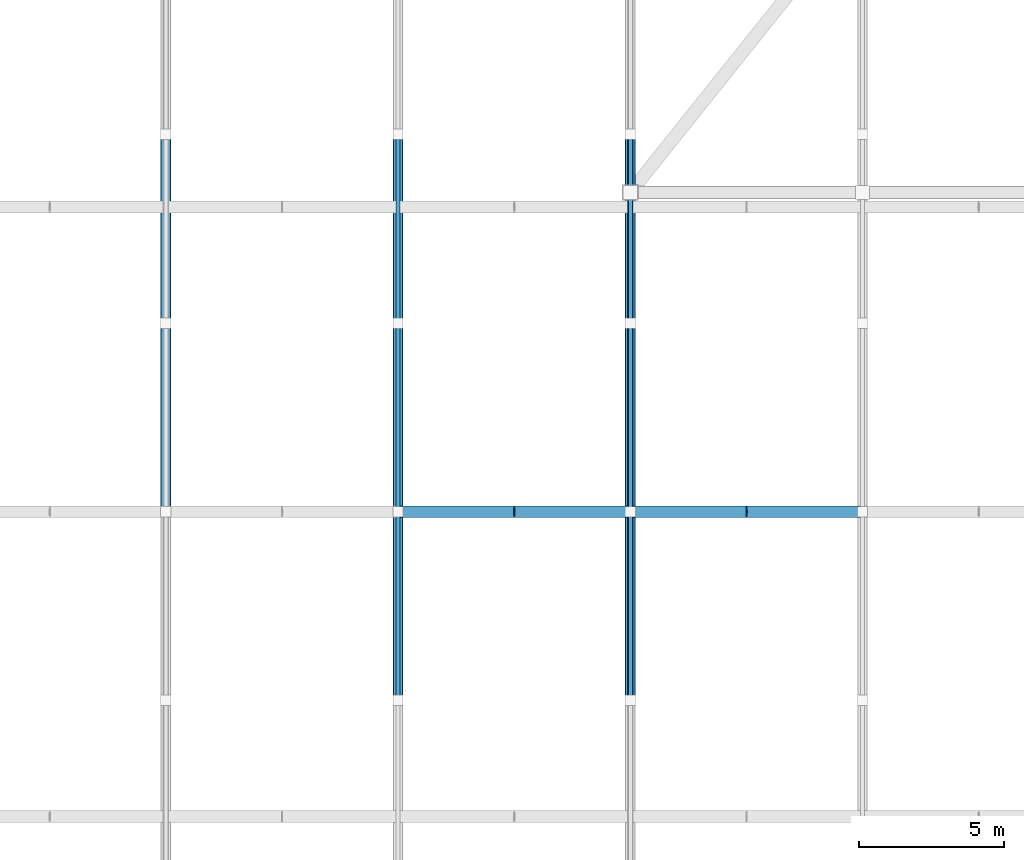
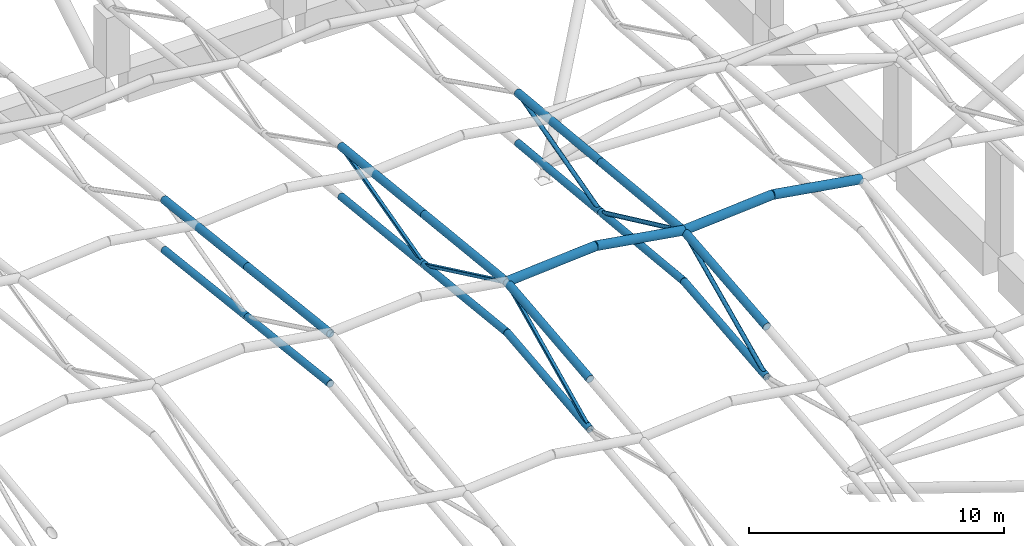
# One storey, part 9 of 75: 26 members.
"""IFC4 building model written with IfcOpenShell, lengths in metres."""

import ifcopenshell
import ifcopenshell.guid

model = None  # the IFC model being written
_history = None  # IfcOwnerHistory: only IFC2X3 demands one
_inside = {}  # id of a spatial element -> (the spatial element, [elements in it])
_under = {}  # id of a project, library or spatial element -> (it, [spatial elements below it])
_declared = {}  # id of a project -> (the project, [libraries it declares])
_typed = {}  # id of a type object -> (the type object, [elements of that type])
_made_of = {}  # id of a material, layer set ... -> (it, [elements and type objects made of it])


def new_model(schema):
    """Start an empty IFC model of exactly this schema.

    Asked for "IFC4X3", IfcOpenShell would pick the latest addendum, in which some entities
    have other attributes; the version numbers below select the first issue.
    IFC2X3 requires an IfcOwnerHistory on every rooted entity: one is made here for all.
    """
    global model, _history
    if schema == "IFC4X3":
        model = ifcopenshell.file(schema_version=(4, 3, 0, 0))
    else:
        model = ifcopenshell.file(schema=schema)
    _inside.clear()
    _under.clear()
    _declared.clear()
    _typed.clear()
    _made_of.clear()
    _history = None
    if model.schema == "IFC2X3":
        org = make("IfcOrganization", Name="unknown")
        user = make(
            "IfcPersonAndOrganization",
            ThePerson=make("IfcPerson", FamilyName="unknown"),
            TheOrganization=org,
        )
        app = make(
            "IfcApplication",
            ApplicationDeveloper=org,
            Version="unknown",
            ApplicationFullName="unknown",
            ApplicationIdentifier="unknown",
        )
        _history = make(
            "IfcOwnerHistory",
            OwningUser=user,
            OwningApplication=app,
            ChangeAction="ADDED",
            CreationDate=0,
        )
    return model


def make(cls, **values):
    """One entity of the class cls with the attributes given. An attribute that is None is left unset."""
    return model.create_entity(
        cls, **{name: value for name, value in values.items() if value is not None}
    )


def rooted(cls, **values):
    """An entity with a GlobalId (a new one), such as an element, a storey or a relation."""
    return make(cls, GlobalId=ifcopenshell.guid.new(), OwnerHistory=_history, **values)


def si_unit(unit_type, name, prefix=None):
    """IfcSIUnit, for example si_unit("LENGTHUNIT", "METRE", prefix="MILLI")."""
    return make("IfcSIUnit", UnitType=unit_type, Prefix=prefix, Name=name)


def assignment(units):
    """IfcUnitAssignment: the units of a project."""
    return None if units is None else make("IfcUnitAssignment", Units=units)


def point(xyz):
    """IfcCartesianPoint."""
    return None if xyz is None else make("IfcCartesianPoint", Coordinates=xyz)


def direction(xyz):
    """IfcDirection."""
    return None if xyz is None else make("IfcDirection", DirectionRatios=xyz)


def frame(location, z_axis=None, x_axis=None):
    """IfcAxis2Placement3D, a coordinate frame: its origin and axes. An axis left out is left unset."""
    return make(
        "IfcAxis2Placement3D",
        Location=point(location),
        Axis=direction(z_axis),
        RefDirection=direction(x_axis),
    )


def frame_2d(location, x_axis=None):
    """IfcAxis2Placement2D, a coordinate frame in the plane: its origin and x axis."""
    return make(
        "IfcAxis2Placement2D", Location=point(location), RefDirection=direction(x_axis)
    )


def origin():
    """The frame at (0, 0, 0) with its axes left unset."""
    return frame((0.0, 0.0, 0.0))


def origin_2d():
    """The frame at (0, 0) in the plane with its x axis left unset."""
    return frame_2d((0.0, 0.0))


def place(relative_to, where):
    """IfcLocalPlacement: puts the frame where relative to a parent placement (None: the world)."""
    return make(
        "IfcLocalPlacement", PlacementRelTo=relative_to, RelativePlacement=where
    )


def context(
    kind, dimensions, precision=None, world=None, true_north=None, identifier=None
):
    """IfcGeometricRepresentationContext, for example the 3D "Model" context."""
    return make(
        "IfcGeometricRepresentationContext",
        ContextIdentifier=identifier,
        ContextType=kind,
        CoordinateSpaceDimension=dimensions,
        Precision=precision,
        WorldCoordinateSystem=world,
        TrueNorth=true_north,
    )


def subcontext(parent, identifier, kind, view, scale=None):
    """IfcGeometricRepresentationSubContext, for example "Body" below "Model"."""
    return make(
        "IfcGeometricRepresentationSubContext",
        ContextIdentifier=identifier,
        ContextType=kind,
        ParentContext=parent,
        TargetScale=scale,
        TargetView=view,
    )


def project(units=None, contexts=None):
    """IfcProject with its units and contexts."""
    return rooted(
        "IfcProject",
        Name="project",
        RepresentationContexts=contexts,
        UnitsInContext=assignment(units),
    )


def spatial(cls, under=None, at=None, **own):
    """A site, building, storey or space (cls), placed at a placement, below another one or the project."""
    s = rooted(cls, ObjectPlacement=at, **own)
    if under is not None:
        _under.setdefault(under.id(), (under, []))[1].append(s)
    return s


def profile(cls, at=None, kind="AREA", **sizes):
    """A parametric profile (cls). Its sizes go by their IFC names, for example OverallWidth=200.0."""
    return make(cls, ProfileType=kind, Position=at, **sizes)


def hollow_rectangle(**sizes):
    """IfcRectangleHollowProfileDef."""
    return profile("IfcRectangleHollowProfileDef", **sizes)


def hollow_circle(**sizes):
    """IfcCircleHollowProfileDef."""
    return profile("IfcCircleHollowProfileDef", **sizes)


def extrude(swept, where, along, depth):
    """IfcExtrudedAreaSolid: the profile swept, set in the frame where, extruded along a direction by depth."""
    return make(
        "IfcExtrudedAreaSolid",
        SweptArea=swept,
        Position=where,
        ExtrudedDirection=direction(along),
        Depth=depth,
    )


def shape(context_of_items, identifier, shape_type, items):
    """IfcShapeRepresentation: the items that make up one representation, for example the "Body"."""
    return make(
        "IfcShapeRepresentation",
        ContextOfItems=context_of_items,
        RepresentationIdentifier=identifier,
        RepresentationType=shape_type,
        Items=items,
    )


def material(Name=None, Category=None):
    """IfcMaterial."""
    return make("IfcMaterial", Name=Name, Category=Category)


def material_profile(
    of_material, cross_section, Name=None, Category=None, Priority=None
):
    """IfcMaterialProfile: a cross section and its material."""
    return make(
        "IfcMaterialProfile",
        Name=Name,
        Material=of_material,
        Profile=cross_section,
        Priority=Priority,
        Category=Category,
    )


def profile_set(profiles, Name=None, composite=None):
    """IfcMaterialProfileSet."""
    return make(
        "IfcMaterialProfileSet",
        Name=Name,
        MaterialProfiles=profiles,
        CompositeProfile=composite,
    )


def made_of(thing, what):
    """Note that an element or type object is made of a material, layer set ...; save() writes the relation."""
    if what is not None:
        _made_of.setdefault(what.id(), (what, []))[1].append(thing)
    return thing


def type_object(cls, material=None, **own):
    """A type object (cls), such as IfcWallType, which elements share."""
    return made_of(rooted(cls, **own), material)


def element(
    cls,
    number,
    at=None,
    inside=None,
    cuts=None,
    type_object=None,
    material=None,
    context=None,
    identifier="Body",
    shape_type=None,
    held_by="IfcProductDefinitionShape",
    body=None,
    shapes=None,
    **own,
):
    """One element of the class cls, such as IfcWall. Its Tag is "e" and its number.

    at: its placement. inside: the storey or other place that contains it. cuts: it is an
    opening in that element (IfcRelVoidsElement). A single representation is given by context,
    identifier, shape_type and body (its items); several are given by shapes. held_by: the class
    of the entity that holds the representations. save() writes the other relations.
    """
    e = rooted(cls, Tag="e%d" % number, ObjectPlacement=at, **own)
    if body is not None:
        shapes = [shape(context, identifier, shape_type, body)]
    if shapes is not None:
        e.Representation = make(held_by, Representations=shapes)
    if inside is not None:
        _inside.setdefault(inside.id(), (inside, []))[1].append(e)
    if cuts is not None:
        rooted(
            "IfcRelVoidsElement", RelatingBuildingElement=cuts, RelatedOpeningElement=e
        )
    if type_object is not None:
        _typed.setdefault(type_object.id(), (type_object, []))[1].append(e)
    return made_of(e, material)


def aggregate(whole, parts):
    """IfcRelAggregates: a whole, such as a stair, and the parts it consists of."""
    return rooted("IfcRelAggregates", RelatingObject=whole, RelatedObjects=parts)


def save(model, path):
    """Write the relations noted so far, then the file.

    IfcRelAggregates (storeys below a building ...), IfcRelContainedInSpatialStructure (elements
    in a storey), IfcRelDefinesByType, IfcRelAssociatesMaterial and IfcRelDeclares: one each for
    every whole, place, type object, material and project.
    """
    for whole, parts in _under.values():
        aggregate(whole, parts)
    for where, things in _inside.values():
        rooted(
            "IfcRelContainedInSpatialStructure",
            RelatedElements=things,
            RelatingStructure=where,
        )
    for kind, things in _typed.values():
        rooted("IfcRelDefinesByType", RelatedObjects=things, RelatingType=kind)
    for what, things in _made_of.values():
        rooted("IfcRelAssociatesMaterial", RelatedObjects=things, RelatingMaterial=what)
    for by, libraries in _declared.values():
        rooted("IfcRelDeclares", RelatingContext=by, RelatedDefinitions=libraries)
    model.write(path)


model = new_model("IFC4")

# Units and contexts
model_context = context("Model", 3, precision=1e-05, world=origin(), true_north=direction((0.0, 1.0)))
body_context = subcontext(model_context, "Body", "Model", "MODEL_VIEW")
ifc_project = project(units=[si_unit("LENGTHUNIT", "METRE"), si_unit("AREAUNIT", "SQUARE_METRE"), si_unit("VOLUMEUNIT", "CUBIC_METRE"), si_unit("PLANEANGLEUNIT", "RADIAN"), si_unit("MASSUNIT", "GRAM", prefix="KILO")], contexts=[model_context])

# Site, building, storey
site_placement = place(None, origin())
site = spatial("IfcSite", under=ifc_project, at=site_placement, CompositionType="ELEMENT")
building_placement = place(site_placement, origin())
building = spatial("IfcBuilding", under=site, at=building_placement, Name="Khorjan Park Terminus", CompositionType="ELEMENT")
storey_placement = place(building_placement, frame((0.0, 0.0, 16.2)))
storey = spatial("IfcBuildingStorey", under=building, at=storey_placement, Name="L03", CompositionType="ELEMENT", Elevation=16.2)

# Members
ifc_material = material(Name="Steel S355", Category="steel")
ifc_material_profile_1 = material_profile(ifc_material, hollow_circle(Radius=0.0969, WallThickness=0.01, at=origin_2d()), Name="CHS 193.7x10")
ifc_profile_set_1 = profile_set([ifc_material_profile_1], Name="Steel S355")
member_type_1 = type_object("IfcMemberType", Name="MB-BR-194", PredefinedType="BRACE", material=ifc_profile_set_1)
for number, where, z_axis, x_axis, name in (
    (1, (120.0, 50.5, 5.1597), (0.0, 0.905965812487, 0.423350855207), (-1.0, 0.0, 0.0), "Upper shell fold space-truss web diagonal (10)"),
    (2, (120.0, 57.0, 8.1971), (0.0, 0.905965812487, -0.423350855207), (-1.0, 0.0, 0.0), "Upper shell fold space-truss web diagonal (10)"),
):
    element("IfcMember", number, at=place(storey_placement, frame(where, z_axis=z_axis, x_axis=x_axis)), inside=storey, type_object=member_type_1, Name=name, PredefinedType="BRACE", context=body_context, shape_type="SweptSolid", body=[
        extrude(hollow_circle(Radius=0.0969, WallThickness=0.01, at=origin_2d()), origin(), (0.0, 0.0, 1.0), 7.1747),
    ])
member_1_placement = place(storey_placement, frame((120.0, 63.5, 5.1597), z_axis=(0.0, 0.965140772781, 0.261731329259), x_axis=(-1.0, 0.0, 0.0)))
element("IfcMember", 3, at=member_1_placement, inside=storey, type_object=member_type_1, Name="Upper shell fold space-truss web diagonal (10)", PredefinedType="BRACE", context=body_context, shape_type="SweptSolid", body=[
    extrude(hollow_circle(Radius=0.0969, WallThickness=0.01, at=origin_2d()), origin(), (0.0, 0.0, 1.0), 6.7348),
])
ifc_material_profile_2 = material_profile(ifc_material, hollow_rectangle(XDim=0.15, YDim=0.15, WallThickness=0.01, InnerFilletRadius=0.01, OuterFilletRadius=0.02, at=origin_2d()), Name="SHS 150x150x10")
ifc_profile_set_2 = profile_set([ifc_material_profile_2], Name="Steel S355")
member_type_2 = type_object("IfcMemberType", Name="MB-BR-SHS150", PredefinedType="BRACE", material=ifc_profile_set_2)
for number, where, z_axis, x_axis, name in (
    (4, (112.0, 50.5, 5.4558), (0.0, 0.903105121336, 0.429419538233), (-1.0, 0.0, 0.0), "Upper shell fold space-truss web diagonal (9)"),
    (5, (112.0, 57.0, 8.5465), (0.0, 0.903105121336, -0.429419538233), (-1.0, 0.0, 0.0), "Upper shell fold space-truss web diagonal (9)"),
):
    element("IfcMember", number, at=place(storey_placement, frame(where, z_axis=z_axis, x_axis=x_axis)), inside=storey, type_object=member_type_2, Name=name, PredefinedType="BRACE", context=body_context, shape_type="SweptSolid", body=[
        extrude(hollow_rectangle(XDim=0.15, YDim=0.15, WallThickness=0.01, InnerFilletRadius=0.01, OuterFilletRadius=0.02, at=origin_2d()), origin(), (0.0, 0.0, 1.0), 7.1974),
    ])
member_2_placement = place(storey_placement, frame((112.0, 63.5, 5.4558), z_axis=(0.0, 0.967115768639, 0.254336568448), x_axis=(-1.0, 0.0, 0.0)))
element("IfcMember", 6, at=member_2_placement, inside=storey, type_object=member_type_2, Name="Upper shell fold space-truss web diagonal (9)", PredefinedType="BRACE", context=body_context, shape_type="SweptSolid", body=[
    extrude(hollow_rectangle(XDim=0.15, YDim=0.15, WallThickness=0.01, InnerFilletRadius=0.01, OuterFilletRadius=0.02, at=origin_2d()), origin(), (0.0, 0.0, 1.0), 6.721),
])
ifc_material_profile_3 = material_profile(ifc_material, hollow_circle(Radius=0.162, WallThickness=0.0125, at=origin_2d()), Name="CHS 323.9x12.5")
ifc_profile_set_3 = profile_set([ifc_material_profile_3], Name="Steel S355")
member_type_3 = type_object("IfcMemberType", Name="MB-CH-324", PredefinedType="CHORD", material=ifc_profile_set_3)
for number, where, z_axis, x_axis, name in (
    (7, (104.0, 57.0, 6.4959), (0.0, 0.993512951244, -0.113719020881), (-1.0, 0.0, 0.0), "Upper shell fold space-truss bottom chord (8)"),
    (8, (104.0, 63.5, 5.7519), (0.0, 0.993512951244, -0.113719020881), (-1.0, 0.0, 0.0), "Upper shell fold space-truss bottom chord (8)"),
):
    element("IfcMember", number, at=place(storey_placement, frame(where, z_axis=z_axis, x_axis=x_axis)), inside=storey, type_object=member_type_3, Name=name, PredefinedType="CHORD", context=body_context, shape_type="SweptSolid", body=[
        extrude(hollow_circle(Radius=0.162, WallThickness=0.0125, at=origin_2d()), origin(), (0.0, 0.0, 1.0), 6.5424),
    ])
for number, where, z_axis, x_axis, name in (
    (9, (112.0, 50.5, 5.4558), (0.0, 0.994401609095, 0.105666644831), (-1.0, 0.0, 0.0), "Upper shell fold space-truss bottom chord (9)"),
    (10, (112.0, 57.0, 6.1465), (0.0, 0.994401609095, -0.105666644831), (-1.0, 0.0, 0.0), "Upper shell fold space-truss bottom chord (9)"),
    (11, (112.0, 63.5, 5.4558), (0.0, 0.994403216472, -0.105651517122), (-1.0, 0.0, 0.0), "Upper shell fold space-truss bottom chord (9)"),
):
    element("IfcMember", number, at=place(storey_placement, frame(where, z_axis=z_axis, x_axis=x_axis)), inside=storey, type_object=member_type_3, Name=name, PredefinedType="CHORD", context=body_context, shape_type="SweptSolid", body=[
        extrude(hollow_circle(Radius=0.162, WallThickness=0.0125, at=origin_2d()), origin(), (0.0, 0.0, 1.0), 6.5366),
    ])
for number, where, z_axis, x_axis, name in (
    (12, (120.0, 50.5, 5.1597), (0.0, 0.995226367552, 0.09759342872), (-1.0, 0.0, 0.0), "Upper shell fold space-truss bottom chord (10)"),
    (13, (120.0, 57.0, 5.7971), (0.0, 0.995226367552, -0.09759342872), (-1.0, 0.0, 0.0), "Upper shell fold space-truss bottom chord (10)"),
    (14, (120.0, 63.5, 5.1597), (0.0, 0.995227854576, -0.097578263342), (-1.0, 0.0, 0.0), "Upper shell fold space-truss bottom chord (10)"),
):
    element("IfcMember", number, at=place(storey_placement, frame(where, z_axis=z_axis, x_axis=x_axis)), inside=storey, type_object=member_type_3, Name=name, PredefinedType="CHORD", context=body_context, shape_type="SweptSolid", body=[
        extrude(hollow_circle(Radius=0.162, WallThickness=0.0125, at=origin_2d()), origin(), (0.0, 0.0, 1.0), 6.5312),
    ])
ifc_material_profile_4 = material_profile(ifc_material, hollow_circle(Radius=0.1778, WallThickness=0.016, at=origin_2d()), Name="CHS 355.6x16")
ifc_profile_set_4 = profile_set([ifc_material_profile_4], Name="Steel S355")
member_type_4 = type_object("IfcMemberType", Name="MB-CH-356", PredefinedType="CHORD", material=ifc_profile_set_4)
for number, where, z_axis, x_axis, name in (
    (15, (104.0, 57.0, 8.8959), (0.0, 0.993512951244, -0.113719020881), (-1.0, 0.0, 0.0), "Upper shell fold space-truss top chord (8)"),
    (16, (104.0, 63.5, 8.1519), (0.0, 0.993512951244, -0.113719020881), (-1.0, 0.0, 0.0), "Upper shell fold space-truss top chord (8)"),
):
    element("IfcMember", number, at=place(storey_placement, frame(where, z_axis=z_axis, x_axis=x_axis)), inside=storey, type_object=member_type_4, Name=name, PredefinedType="CHORD", context=body_context, shape_type="SweptSolid", body=[
        extrude(hollow_circle(Radius=0.1778, WallThickness=0.016, at=origin_2d()), origin(), (0.0, 0.0, 1.0), 6.5424),
    ])
for number, where, z_axis, x_axis, name in (
    (17, (112.0, 50.5, 7.8558), (0.0, 0.994401609095, 0.105666644831), (-1.0, 0.0, 0.0), "Upper shell fold space-truss top chord (9)"),
    (18, (112.0, 57.0, 8.5465), (0.0, 0.994401609095, -0.105666644831), (-1.0, 0.0, 0.0), "Upper shell fold space-truss top chord (9)"),
    (19, (112.0, 63.5, 7.8558), (0.0, 0.994403216472, -0.105651517122), (-1.0, 0.0, 0.0), "Upper shell fold space-truss top chord (9)"),
):
    element("IfcMember", number, at=place(storey_placement, frame(where, z_axis=z_axis, x_axis=x_axis)), inside=storey, type_object=member_type_4, Name=name, PredefinedType="CHORD", context=body_context, shape_type="SweptSolid", body=[
        extrude(hollow_circle(Radius=0.1778, WallThickness=0.016, at=origin_2d()), origin(), (0.0, 0.0, 1.0), 6.5366),
    ])
for number, where, z_axis, x_axis, name in (
    (20, (120.0, 50.5, 7.5597), (0.0, 0.995226367552, 0.09759342872), (-1.0, 0.0, 0.0), "Upper shell fold space-truss top chord (10)"),
    (21, (120.0, 57.0, 8.1971), (0.0, 0.995226367552, -0.09759342872), (-1.0, 0.0, 0.0), "Upper shell fold space-truss top chord (10)"),
    (22, (120.0, 63.5, 7.5597), (0.0, 0.995227854576, -0.097578263342), (-1.0, 0.0, 0.0), "Upper shell fold space-truss top chord (10)"),
):
    element("IfcMember", number, at=place(storey_placement, frame(where, z_axis=z_axis, x_axis=x_axis)), inside=storey, type_object=member_type_4, Name=name, PredefinedType="CHORD", context=body_context, shape_type="SweptSolid", body=[
        extrude(hollow_circle(Radius=0.1778, WallThickness=0.016, at=origin_2d()), origin(), (0.0, 0.0, 1.0), 6.5312),
    ])
ifc_material_profile_5 = material_profile(ifc_material, hollow_circle(Radius=0.2032, WallThickness=0.016, at=origin_2d()), Name="CHS 406.4x16")
ifc_profile_set_5 = profile_set([ifc_material_profile_5], Name="Steel S355")
member_type_5 = type_object("IfcMemberType", Name="MB-CH-406", PredefinedType="CHORD", material=ifc_profile_set_5)
member_3_placement = place(storey_placement, frame((112.0, 57.0, 8.5865), z_axis=(0.997156385058, 0.0, 0.075360093801), x_axis=(0.0, 1.0, 0.0)))
element("IfcMember", 23, at=member_3_placement, inside=storey, type_object=member_type_5, Name="Upper shell fold rib chord (159)", PredefinedType="CHORD", context=body_context, shape_type="SweptSolid", body=[
    extrude(hollow_circle(Radius=0.2032, WallThickness=0.016, at=origin_2d()), origin(), (0.0, 0.0, 1.0), 4.0114),
])
member_4_placement = place(storey_placement, frame((116.0, 57.0, 8.8888), z_axis=(0.986986239924, 0.0, -0.16080473314), x_axis=(0.0, 1.0, 0.0)))
element("IfcMember", 24, at=member_4_placement, inside=storey, type_object=member_type_5, Name="Upper shell fold rib chord (160)", PredefinedType="CHORD", context=body_context, shape_type="SweptSolid", body=[
    extrude(hollow_circle(Radius=0.2032, WallThickness=0.016, at=origin_2d()), origin(), (0.0, 0.0, 1.0), 4.0527),
])
member_5_placement = place(storey_placement, frame((120.0, 57.0, 8.2371), z_axis=(0.997156385058, 0.0, 0.075360093801), x_axis=(0.0, 1.0, 0.0)))
element("IfcMember", 25, at=member_5_placement, inside=storey, type_object=member_type_5, Name="Upper shell fold rib chord (161)", PredefinedType="CHORD", context=body_context, shape_type="SweptSolid", body=[
    extrude(hollow_circle(Radius=0.2032, WallThickness=0.016, at=origin_2d()), origin(), (0.0, 0.0, 1.0), 4.0114),
])
member_6_placement = place(storey_placement, frame((124.0, 57.0, 8.5394), z_axis=(0.986982323482, 0.0, -0.160828769611), x_axis=(0.0, 1.0, 0.0)))
element("IfcMember", 26, at=member_6_placement, inside=storey, type_object=member_type_5, Name="Upper shell fold rib chord (162)", PredefinedType="CHORD", context=body_context, shape_type="SweptSolid", body=[
    extrude(hollow_circle(Radius=0.2032, WallThickness=0.016, at=origin_2d()), origin(), (0.0, 0.0, 1.0), 4.0528),
])

save(model, "model.ifc")
